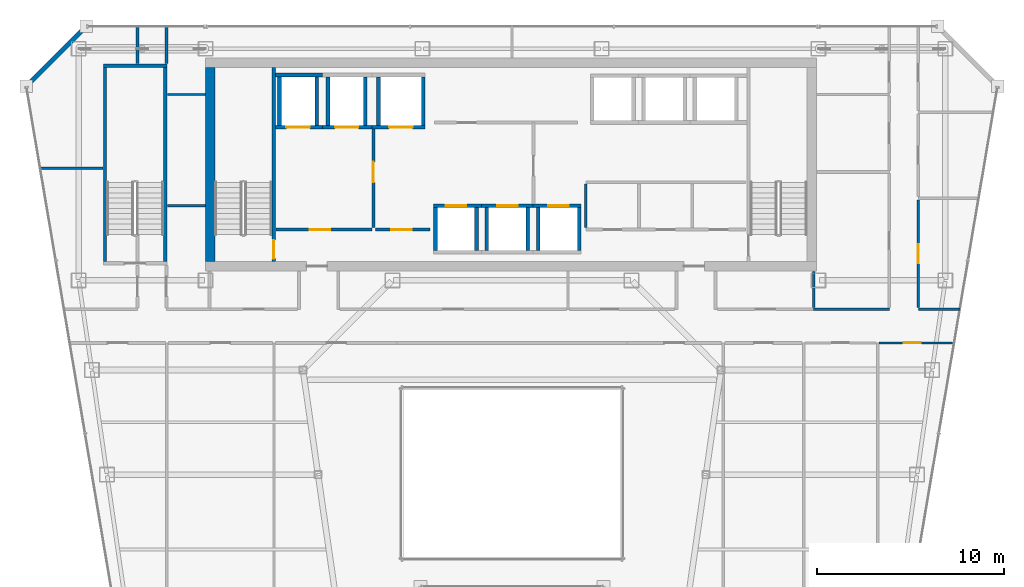
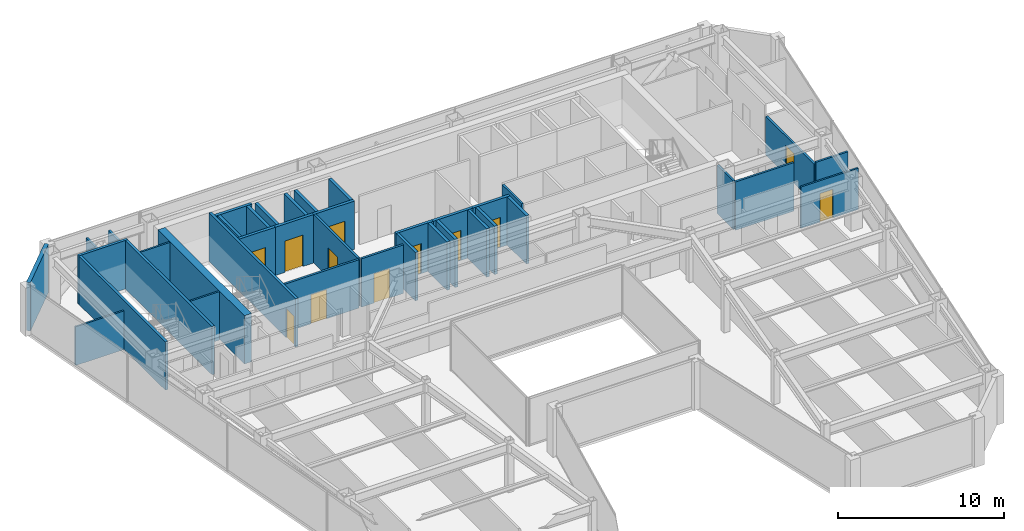
# One storey, part 31 of 36: 39 walls, 12 doors, 12 openings.
"""IFC4 building model written with IfcOpenShell, lengths in metres."""

from ifc_helpers import new_model, si_unit, direction, frame, frame_2d, origin, place, context, subcontext, project, spatial, rectangle, extrude, material, layer, layer_set, type_object, element, fill, save


model = new_model("IFC4")

# Units and contexts
model_context = context("Model", 3, precision=1e-05, world=origin(), true_north=direction((0.0, 1.0)))
body_context = subcontext(model_context, "Body", "Model", "MODEL_VIEW")
ifc_project = project(units=[si_unit("LENGTHUNIT", "METRE"), si_unit("AREAUNIT", "SQUARE_METRE"), si_unit("VOLUMEUNIT", "CUBIC_METRE"), si_unit("PLANEANGLEUNIT", "RADIAN"), si_unit("MASSUNIT", "GRAM", prefix="KILO")], contexts=[model_context])

# Site, building, storey
site_placement = place(None, origin())
site = spatial("IfcSite", under=ifc_project, at=site_placement, CompositionType="ELEMENT")
building_placement = place(site_placement, origin())
building = spatial("IfcBuilding", under=site, at=building_placement, Name="Saevonmaru Cultural Tower", CompositionType="ELEMENT")
storey_placement = place(building_placement, frame((0.0, 0.0, 205.60009765625)))
storey = spatial("IfcBuildingStorey", under=building, at=storey_placement, Name="L47", CompositionType="ELEMENT", Elevation=205.60009765625)

# Wall
ifc_material_1 = material(Name="Concrete C60/75", Category="concrete")
ifc_layer_1 = layer(ifc_material_1, 0.5, Name="Concrete C60/75")
ifc_layer_set_1 = layer_set([ifc_layer_1], Name="Concrete C60/75")
wall_type_1 = type_object("IfcWallType", Name="WL-CORE-500", PredefinedType="SHEAR", material=ifc_layer_set_1)
wall_1_placement = place(storey_placement, frame((13.85009765625, 43.39990234375, 0.0), z_axis=(0.0, 0.0, 1.0), x_axis=(0.0, 1.0, 0.0)))
element("IfcWall", 1, at=wall_1_placement, inside=storey, type_object=wall_type_1, Name="L47 Tower RC core shear wall W", PredefinedType="SHEAR", context=body_context, shape_type="SweptSolid", body=[
    extrude(rectangle(XDim=10.400146484375, YDim=0.5, at=frame_2d((5.2001953125, 0.0))), origin(), (0.0, 0.0, 1.0), 3.5498046875),
])

# Wall, opening, door
ifc_material_2 = material(Name="Gypsum Fireboard Partition", Category="gypsum")
ifc_layer_2 = layer(ifc_material_2, 0.14990234375, Name="Gypsum Fireboard Partition")
ifc_layer_set_2 = layer_set([ifc_layer_2], Name="Gypsum Fireboard Partition")
wall_type_2 = type_object("IfcWallType", Name="WL-CORE-PART-150", PredefinedType="PARTITIONING", material=ifc_layer_set_2)
wall_2_placement = place(storey_placement, frame((17.360107421875, 45.1201171875, 0.0), z_axis=(0.0, 0.0, 1.0), x_axis=(1.0, 0.0, 0.0)))
wall_2 = element("IfcWall", 2, at=wall_2_placement, inside=storey, type_object=wall_type_2, Name="L47 Firefighting Lift Lobby South Wall", PredefinedType="PARTITIONING", context=body_context, shape_type="SweptSolid", body=[
    extrude(rectangle(XDim=5.139892578125, YDim=0.14990234375, at=frame_2d((2.56982421875, 0.0))), origin(), (0.0, 0.0, 1.0), 3.5498046875),
])
opening_1_placement = place(wall_2_placement, frame((1.800048828125, 0.0, 0.0)))
opening_1 = element("IfcOpeningElement", 3, at=opening_1_placement, cuts=wall_2, Name="Opening FD-2", PredefinedType="OPENING", context=body_context, shape_type="SweptSolid", body=[
    extrude(rectangle(XDim=1.10009765625, YDim=2.14990234375, at=frame_2d((0.550048828125, 1.074951171875))), frame((0.0, 0.0849609375, 0.0), z_axis=(0.0, -1.0, 0.0), x_axis=(1.0, 0.0, 0.0)), (0.0, 0.0, 1.0), 0.169921875),
])
ifc_material_3 = material(Name="Satin Bronze Anodised Aluminium", Category="aluminium")
door_type_1 = type_object("IfcDoorType", Name="DR-FD60-1100", OperationType="SINGLE_SWING_LEFT", PredefinedType="DOOR", material=ifc_material_3)
door_1_placement = place(opening_1_placement, origin())
door_1 = element("IfcDoor", 4, at=door_1_placement, inside=storey, type_object=door_type_1, Name="L47 Firefighting Lift Lobby South Door", OperationType="SINGLE_SWING_LEFT", OverallHeight=2.14990234375, OverallWidth=1.10009765625, PredefinedType="DOOR", context=body_context, shape_type="SweptSolid", body=[
    extrude(rectangle(XDim=1.10009765625, YDim=2.14990234375, at=frame_2d((0.550048828125, 1.074951171875))), frame((0.0, 0.02490234375, 0.0), z_axis=(0.0, -1.0, 0.0), x_axis=(1.0, 0.0, 0.0)), (0.0, 0.0, 1.0), 0.050048828125),
])
fill(opening_1, door_1)

wall_3_placement = place(storey_placement, frame((22.580078125, 50.550048828125, 0.0), z_axis=(0.0, 0.0, 1.0), x_axis=(0.0, -1.0, 0.0)))
wall_3 = element("IfcWall", 5, at=wall_3_placement, inside=storey, type_object=wall_type_2, Name="L47 Firefighting Lift Lobby East Wall", PredefinedType="PARTITIONING", context=body_context, shape_type="SweptSolid", body=[
    extrude(rectangle(XDim=5.330078125, YDim=0.14990234375, at=frame_2d((2.6650390625, 0.0))), origin(), (0.0, 0.0, 1.0), 3.5498046875),
])
opening_2_placement = place(wall_3_placement, frame((1.800048828125, 0.0, 0.0)))
opening_2 = element("IfcOpeningElement", 6, at=opening_2_placement, cuts=wall_3, Name="Opening FD-2", PredefinedType="OPENING", context=body_context, shape_type="SweptSolid", body=[
    extrude(rectangle(XDim=1.10009765625, YDim=2.14990234375, at=frame_2d((0.550048828125, 1.074951171875))), frame((0.0, 0.0849609375, 0.0), z_axis=(0.0, -1.0, 0.0), x_axis=(1.0, 0.0, 0.0)), (0.0, 0.0, 1.0), 0.169921875),
])
door_2_placement = place(opening_2_placement, origin())
door_2 = element("IfcDoor", 7, at=door_2_placement, inside=storey, type_object=door_type_1, Name="L47 Firefighting Lift Lobby East Door", OperationType="SINGLE_SWING_LEFT", OverallHeight=2.14990234375, OverallWidth=1.10009765625, PredefinedType="DOOR", context=body_context, shape_type="SweptSolid", body=[
    extrude(rectangle(XDim=1.10009765625, YDim=2.14990234375, at=frame_2d((0.550048828125, 1.074951171875))), frame((0.0, 0.02490234375, 0.0), z_axis=(0.0, -1.0, 0.0), x_axis=(1.0, 0.0, 0.0)), (0.0, 0.0, 1.0), 0.050048828125),
])
fill(opening_2, door_2)

wall_4_placement = place(storey_placement, frame((22.679931640625, 45.1201171875, 0.0), z_axis=(0.0, 0.0, 1.0), x_axis=(1.0, 0.0, 0.0)))
wall_4 = element("IfcWall", 8, at=wall_4_placement, inside=storey, type_object=wall_type_2, Name="L47 Service Lift Vestibule Wall", PredefinedType="PARTITIONING", context=body_context, shape_type="SweptSolid", body=[
    extrude(rectangle(XDim=2.920166015625, YDim=0.14990234375, at=frame_2d((1.4599609375, 0.0))), origin(), (0.0, 0.0, 1.0), 3.5498046875),
])
opening_3_placement = place(wall_4_placement, frame((0.85009765625, 0.0, 0.0)))
opening_3 = element("IfcOpeningElement", 9, at=opening_3_placement, cuts=wall_4, Name="Opening FD-2", PredefinedType="OPENING", context=body_context, shape_type="SweptSolid", body=[
    extrude(rectangle(XDim=1.10009765625, YDim=2.14990234375, at=frame_2d((0.550048828125, 1.074951171875))), frame((0.0, 0.0849609375, 0.0), z_axis=(0.0, -1.0, 0.0), x_axis=(1.0, 0.0, 0.0)), (0.0, 0.0, 1.0), 0.169921875),
])
door_3_placement = place(opening_3_placement, origin())
door_3 = element("IfcDoor", 10, at=door_3_placement, inside=storey, type_object=door_type_1, Name="L47 Service Lift Vestibule Door", OperationType="SINGLE_SWING_LEFT", OverallHeight=2.14990234375, OverallWidth=1.10009765625, PredefinedType="DOOR", context=body_context, shape_type="SweptSolid", body=[
    extrude(rectangle(XDim=1.10009765625, YDim=2.14990234375, at=frame_2d((0.550048828125, 1.074951171875))), frame((0.0, 0.02490234375, 0.0), z_axis=(0.0, -1.0, 0.0), x_axis=(1.0, 0.0, 0.0)), (0.0, 0.0, 1.0), 0.050048828125),
])
fill(opening_3, door_3)

# Walls
wall_5_placement = place(storey_placement, frame((33.949951171875, 45.219970703125, 0.0), z_axis=(0.0, 0.0, 1.0), x_axis=(0.0, 1.0, 0.0)))
element("IfcWall", 11, at=wall_5_placement, inside=storey, type_object=wall_type_2, Name="L47 Core Utility West Wall", PredefinedType="PARTITIONING", context=body_context, shape_type="SweptSolid", body=[
    extrude(rectangle(XDim=2.330078125, YDim=0.14990234375, at=frame_2d((1.1650390625, 0.0))), origin(), (0.0, 0.0, 1.0), 3.5498046875),
])
ifc_material_4 = material(Name="Granite-Clad Precast Concrete C40/50", Category="masonry")
ifc_layer_3 = layer(ifc_material_4, 0.260009765625, Name="Granite-Clad Precast Concrete C40/50")
ifc_layer_set_3 = layer_set([ifc_layer_3], Name="Granite-Clad Precast Concrete C40/50")
wall_type_3 = type_object("IfcWallType", Name="WL-EXT-SPANDREL-260", PredefinedType="STANDARD", material=ifc_layer_set_3)
wall_6_placement = place(storey_placement, frame((7.0869140625, 55.886962890625, 0.0), z_axis=(0.0, 0.0, 1.0), x_axis=(-0.707106781187, -0.707106781187, 0.0)))
element("IfcWall", 12, at=wall_6_placement, inside=storey, type_object=wall_type_3, Name="L47 Chamfer Corner Spandrel Wall E11", PredefinedType="STANDARD", context=body_context, shape_type="SweptSolid", body=[
    extrude(rectangle(XDim=4.205810546875, YDim=0.260009765625, at=frame_2d((2.10302734375, 0.0))), origin(), (0.0, 0.0, 1.0), 3.5498046875),
])
ifc_layer_4 = layer(ifc_material_2, 0.14990234375, Name="Gypsum Fireboard Partition")
ifc_layer_set_4 = layer_set([ifc_layer_4], Name="Gypsum Fireboard Partition")
wall_type_4 = type_object("IfcWallType", Name="WL-PART-FIRE-150", PredefinedType="PARTITIONING", material=ifc_layer_set_4)
for number, where, z_axis, x_axis, name in (
    (13, (11.5, 54.0, 0.0), (0.0, 0.0, 1.0), (0.0, 1.0, 0.0), "L47 Kinetic Art Exhibition Gallery Corridor Wall"),
    (14, (9.949951171875, 54.0, 0.0), (0.0, 0.0, 1.0), (0.0, 1.0, 0.0), "L47 Contemporary Photography Gallery Corridor Wall"),
):
    element("IfcWall", number, at=place(storey_placement, frame(where, z_axis=z_axis, x_axis=x_axis)), inside=storey, type_object=wall_type_4, Name=name, PredefinedType="PARTITIONING", context=body_context, shape_type="SweptSolid", body=[
        extrude(rectangle(XDim=1.9951171875, YDim=0.14990234375, at=frame_2d((0.99755859375, 0.0))), origin(), (0.0, 0.0, 1.0), 2.934814453125),
    ])

# Wall, opening, door
wall_7_placement = place(storey_placement, frame((51.75, 40.9375, 0.0), z_axis=(0.0, 0.0, 1.0), x_axis=(0.0, 1.0, 0.0)))
wall_7 = element("IfcWall", 15, at=wall_7_placement, inside=storey, type_object=wall_type_4, Name="L47 Chamber Rehearsal Auditorium Corridor Wall", PredefinedType="PARTITIONING", context=body_context, shape_type="SweptSolid", body=[
    extrude(rectangle(XDim=5.77490234375, YDim=0.14990234375, at=frame_2d((2.887451171875, 0.0))), origin(), (0.0, 0.0, 1.0), 2.8349609375),
])
opening_4_placement = place(wall_7_placement, frame((2.386962890625, 0.0, 0.0)))
opening_4 = element("IfcOpeningElement", 16, at=opening_4_placement, cuts=wall_7, Name="Opening ID-1B", PredefinedType="OPENING", context=body_context, shape_type="SweptSolid", body=[
    extrude(rectangle(XDim=1.0, YDim=2.14990234375, at=frame_2d((0.5, 1.074951171875))), frame((0.0, 0.0849609375, 0.0), z_axis=(0.0, -1.0, 0.0), x_axis=(1.0, 0.0, 0.0)), (0.0, 0.0, 1.0), 0.169921875),
])
ifc_material_5 = material(Name="Acoustic Stained Oak Timber", Category="wood")
door_type_2 = type_object("IfcDoorType", Name="DR-INT-1000", OperationType="SINGLE_SWING_RIGHT", PredefinedType="DOOR", material=ifc_material_5)
door_4_placement = place(opening_4_placement, origin())
door_4 = element("IfcDoor", 17, at=door_4_placement, inside=storey, type_object=door_type_2, Name="L47 Chamber Rehearsal Auditorium Door", OperationType="SINGLE_SWING_LEFT", OverallHeight=2.14990234375, OverallWidth=1.0, PredefinedType="DOOR", context=body_context, shape_type="SweptSolid", body=[
    extrude(rectangle(XDim=1.0, YDim=2.14990234375, at=frame_2d((0.5, 1.074951171875))), frame((0.0, 0.02490234375, 0.0), z_axis=(0.0, -1.0, 0.0), x_axis=(1.0, 0.0, 0.0)), (0.0, 0.0, 1.0), 0.050048828125),
])
fill(opening_4, door_4)

# Walls
ifc_layer_5 = layer(ifc_material_2, 0.1201171875, Name="Gypsum Fireboard Partition")
ifc_layer_set_5 = layer_set([ifc_layer_5], Name="Gypsum Fireboard Partition")
wall_type_5 = type_object("IfcWallType", Name="WL-PART-GYP-120", PredefinedType="PARTITIONING", material=ifc_layer_set_5)
wall_8_placement = place(storey_placement, frame((11.550048828125, 52.35009765625, 0.0), z_axis=(0.0, 0.0, 1.0), x_axis=(1.0, 0.0, 0.0)))
element("IfcWall", 18, at=wall_8_placement, inside=storey, type_object=wall_type_5, Name="L47 North-West Panorama South Wall", PredefinedType="PARTITIONING", context=body_context, shape_type="SweptSolid", body=[
    extrude(rectangle(XDim=2.030029296875, YDim=0.1201171875, at=frame_2d((1.01513671875, 0.0))), origin(), (0.0, 0.0, 1.0), 3.5498046875),
])
wall_9_placement = place(storey_placement, frame((4.75, 48.39990234375, 0.0), z_axis=(0.0, 0.0, 1.0), x_axis=(1.0, 0.0, 0.0)))
element("IfcWall", 19, at=wall_9_placement, inside=storey, type_object=wall_type_5, Name="L47 NW Studio Divider 1", PredefinedType="PARTITIONING", context=body_context, shape_type="SweptSolid", body=[
    extrude(rectangle(XDim=3.35009765625, YDim=0.1201171875, at=frame_2d((1.675048828125, 0.0))), origin(), (0.0, 0.0, 1.0), 2.8349609375),
])
wall_10_placement = place(storey_placement, frame((11.550048828125, 46.39990234375, 0.0), z_axis=(0.0, 0.0, 1.0), x_axis=(1.0, 0.0, 0.0)))
element("IfcWall", 20, at=wall_10_placement, inside=storey, type_object=wall_type_5, Name="L47 NW Inner Divider", PredefinedType="PARTITIONING", context=body_context, shape_type="SweptSolid", body=[
    extrude(rectangle(XDim=2.030029296875, YDim=0.1201171875, at=frame_2d((1.01513671875, 0.0))), origin(), (0.0, 0.0, 1.0), 3.5498046875),
])

# Wall, opening, door
wall_11_placement = place(storey_placement, frame((49.657470703125, 39.050048828125, 0.0), z_axis=(0.0, 0.0, 1.0), x_axis=(1.0, 0.0, 0.0)))
wall_11 = element("IfcWall", 21, at=wall_11_placement, inside=storey, type_object=wall_type_5, Name="L47 Calligraphy Teaching Studio Corridor Wall", PredefinedType="PARTITIONING", context=body_context, shape_type="SweptSolid", body=[
    extrude(rectangle(XDim=3.994140625, YDim=0.1201171875, at=frame_2d((1.9970703125, 0.0))), origin(), (0.0, 0.0, 1.0), 3.034912109375),
])
opening_5_placement = place(wall_11_placement, frame((1.326904296875, 0.0, 0.0)))
opening_5 = element("IfcOpeningElement", 22, at=opening_5_placement, cuts=wall_11, Name="Opening ID-2", PredefinedType="OPENING", context=body_context, shape_type="SweptSolid", body=[
    extrude(rectangle(XDim=0.89990234375, YDim=2.10009765625, at=frame_2d((0.449951171875, 1.050048828125))), frame((0.0, 0.070068359375, 0.0), z_axis=(0.0, -1.0, 0.0), x_axis=(1.0, 0.0, 0.0)), (0.0, 0.0, 1.0), 0.14013671875),
])
door_type_3 = type_object("IfcDoorType", Name="DR-INT-900", OperationType="SINGLE_SWING_RIGHT", PredefinedType="DOOR", material=ifc_material_5)
door_5_placement = place(opening_5_placement, origin())
door_5 = element("IfcDoor", 23, at=door_5_placement, inside=storey, type_object=door_type_3, Name="L47 Calligraphy Teaching Studio Door", OperationType="SINGLE_SWING_RIGHT", OverallHeight=2.10009765625, OverallWidth=0.89990234375, PredefinedType="DOOR", context=body_context, shape_type="SweptSolid", body=[
    extrude(rectangle(XDim=0.89990234375, YDim=2.10009765625, at=frame_2d((0.449951171875, 1.050048828125))), frame((0.0, 0.02490234375, 0.0), z_axis=(0.0, -1.0, 0.0), x_axis=(1.0, 0.0, 0.0)), (0.0, 0.0, 1.0), 0.050048828125),
])
fill(opening_5, door_5)

# Walls
ifc_layer_6 = layer(ifc_material_2, 0.135009765625, Name="Gypsum Fireboard Partition")
ifc_layer_set_6 = layer_set([ifc_layer_6], Name="Gypsum Fireboard Partition")
wall_type_6 = type_object("IfcWallType", Name="WL-PART-GYP-135", PredefinedType="PARTITIONING", material=ifc_layer_set_6)
wall_12_placement = place(storey_placement, frame((51.75, 40.85009765625, 0.0), z_axis=(0.0, 0.0, 1.0), x_axis=(1.0, 0.0, 0.0)))
element("IfcWall", 24, at=wall_12_placement, inside=storey, type_object=wall_type_6, Name="L47 NE Wing South Wall", PredefinedType="PARTITIONING", context=body_context, shape_type="SweptSolid", body=[
    extrude(rectangle(XDim=2.2216796875, YDim=0.135009765625, at=frame_2d((1.11083984375, 0.0))), origin(), (0.0, 0.0, 1.0), 3.034912109375),
])
ifc_layer_7 = layer(ifc_material_2, 0.139892578125, Name="Gypsum Fireboard Partition")
ifc_layer_set_7 = layer_set([ifc_layer_7], Name="Gypsum Fireboard Partition")
wall_type_7 = type_object("IfcWallType", Name="WL-PART-WET-140", PredefinedType="PARTITIONING", material=ifc_layer_set_7)
wall_13_placement = place(storey_placement, frame((46.14990234375, 40.85009765625, 0.0), z_axis=(0.0, 0.0, 1.0), x_axis=(1.0, 0.0, 0.0)))
element("IfcWall", 25, at=wall_13_placement, inside=storey, type_object=wall_type_7, Name="L47 Washroom South Wall", PredefinedType="PARTITIONING", context=body_context, shape_type="SweptSolid", body=[
    extrude(rectangle(XDim=4.050048828125, YDim=0.139892578125, at=frame_2d((2.02490234375, 0.0))), origin(), (0.0, 0.0, 1.0), 3.5498046875),
])
wall_14_placement = place(storey_placement, frame((46.14990234375, 40.93994140625, 0.0), z_axis=(0.0, 0.0, 1.0), x_axis=(0.0, 1.0, 0.0)))
element("IfcWall", 26, at=wall_14_placement, inside=storey, type_object=wall_type_7, Name="L47 Washroom South-West Return", PredefinedType="PARTITIONING", context=body_context, shape_type="SweptSolid", body=[
    extrude(rectangle(XDim=1.93994140625, YDim=0.139892578125, at=frame_2d((0.969970703125, 0.0))), origin(), (0.0, 0.0, 1.0), 3.5498046875),
])

# Wall, opening, door
ifc_material_6 = material(Name="Concrete C40/50", Category="concrete")
ifc_layer_8 = layer(ifc_material_6, 0.199951171875, Name="Concrete C40/50")
ifc_layer_set_8 = layer_set([ifc_layer_8], Name="Concrete C40/50")
wall_type_8 = type_object("IfcWallType", Name="WL-SHAFT-200", PredefinedType="SHEAR", material=ifc_layer_set_8)
wall_15_placement = place(storey_placement, frame((17.330078125, 50.60009765625, 0.0), z_axis=(0.0, 0.0, 1.0), x_axis=(1.0, 0.0, 0.0)))
wall_15 = element("IfcWall", 27, at=wall_15_placement, inside=storey, type_object=wall_type_8, Name="L47 Lift FFL-1 Hoistway Wall S", PredefinedType="SHEAR", context=body_context, shape_type="SweptSolid", body=[
    extrude(rectangle(XDim=2.52001953125, YDim=0.199951171875, at=frame_2d((1.260009765625, 0.0))), origin(), (0.0, 0.0, 1.0), 3.5498046875),
])
opening_6_placement = place(wall_15_placement, frame((0.594970703125, 0.0, 0.0)))
opening_6 = element("IfcOpeningElement", 28, at=opening_6_placement, cuts=wall_15, Name="Opening LD-2", PredefinedType="OPENING", context=body_context, shape_type="SweptSolid", body=[
    extrude(rectangle(XDim=1.25, YDim=2.300048828125, at=frame_2d((0.625, 1.14990234375))), frame((0.0, 0.10986328125, 0.0), z_axis=(0.0, -1.0, 0.0), x_axis=(1.0, 0.0, 0.0)), (0.0, 0.0, 1.0), 0.219970703125),
])
ifc_material_7 = material(Name="Stainless Steel 316", Category="steel")
door_type_4 = type_object("IfcDoorType", Name="DR-LIFT-1250", OperationType="SLIDING_TO_LEFT", PredefinedType="DOOR", material=ifc_material_7)
door_6_placement = place(opening_6_placement, origin())
door_6 = element("IfcDoor", 29, at=door_6_placement, inside=storey, type_object=door_type_4, Name="L47 Lift FFL-1 Sliding Landing Door", OperationType="SLIDING_TO_LEFT", OverallHeight=2.300048828125, OverallWidth=1.25, PredefinedType="DOOR", context=body_context, shape_type="SweptSolid", body=[
    extrude(rectangle(XDim=1.25, YDim=2.300048828125, at=frame_2d((0.625, 1.14990234375))), frame((0.0, 0.02490234375, 0.0), z_axis=(0.0, -1.0, 0.0), x_axis=(1.0, 0.0, 0.0)), (0.0, 0.0, 1.0), 0.050048828125),
])
fill(opening_6, door_6)

# Walls
wall_16_placement = place(storey_placement, frame((17.330078125, 53.39990234375, 0.0), z_axis=(0.0, 0.0, 1.0), x_axis=(1.0, 0.0, 0.0)))
element("IfcWall", 30, at=wall_16_placement, inside=storey, type_object=wall_type_8, Name="L47 Lift FFL-1 Hoistway Wall N", PredefinedType="SHEAR", context=body_context, shape_type="SweptSolid", body=[
    extrude(rectangle(XDim=2.52001953125, YDim=0.199951171875, at=frame_2d((1.260009765625, 0.0))), origin(), (0.0, 0.0, 1.0), 3.5498046875),
])
for number, where, z_axis, x_axis, name in (
    (31, (17.550048828125, 50.699951171875, 0.0), (0.0, 0.0, 1.0), (0.0, 1.0, 0.0), "L47 Lift FFL-1 Hoistway Wall W"),
    (32, (19.550048828125, 50.699951171875, 0.0), (0.0, 0.0, 1.0), (0.0, 1.0, 0.0), "L47 Lift FFL-1 Hoistway Wall E"),
):
    element("IfcWall", number, at=place(storey_placement, frame(where, z_axis=z_axis, x_axis=x_axis)), inside=storey, type_object=wall_type_8, Name=name, PredefinedType="SHEAR", context=body_context, shape_type="SweptSolid", body=[
        extrude(rectangle(XDim=2.60009765625, YDim=0.199951171875, at=frame_2d((1.300048828125, 0.0))), origin(), (0.0, 0.0, 1.0), 3.5498046875),
    ])

# Wall, opening, door
wall_17_placement = place(storey_placement, frame((19.85009765625, 50.60009765625, 0.0), z_axis=(0.0, 0.0, 1.0), x_axis=(1.0, 0.0, 0.0)))
wall_17 = element("IfcWall", 33, at=wall_17_placement, inside=storey, type_object=wall_type_8, Name="L47 Lift FFL-2 Hoistway Wall S", PredefinedType="SHEAR", context=body_context, shape_type="SweptSolid", body=[
    extrude(rectangle(XDim=2.64990234375, YDim=0.199951171875, at=frame_2d((1.324951171875, 0.0))), origin(), (0.0, 0.0, 1.0), 3.5498046875),
])
opening_7_placement = place(wall_17_placement, frame((0.675048828125, 0.0, 0.0)))
opening_7 = element("IfcOpeningElement", 34, at=opening_7_placement, cuts=wall_17, Name="Opening LD-2", PredefinedType="OPENING", context=body_context, shape_type="SweptSolid", body=[
    extrude(rectangle(XDim=1.25, YDim=2.300048828125, at=frame_2d((0.625, 1.14990234375))), frame((0.0, 0.10986328125, 0.0), z_axis=(0.0, -1.0, 0.0), x_axis=(1.0, 0.0, 0.0)), (0.0, 0.0, 1.0), 0.219970703125),
])
door_7_placement = place(opening_7_placement, origin())
door_7 = element("IfcDoor", 35, at=door_7_placement, inside=storey, type_object=door_type_4, Name="L47 Lift FFL-2 Sliding Landing Door", OperationType="SLIDING_TO_LEFT", OverallHeight=2.300048828125, OverallWidth=1.25, PredefinedType="DOOR", context=body_context, shape_type="SweptSolid", body=[
    extrude(rectangle(XDim=1.25, YDim=2.300048828125, at=frame_2d((0.625, 1.14990234375))), frame((0.0, 0.02490234375, 0.0), z_axis=(0.0, -1.0, 0.0), x_axis=(1.0, 0.0, 0.0)), (0.0, 0.0, 1.0), 0.050048828125),
])
fill(opening_7, door_7)

# Walls
for number, where, z_axis, x_axis, name in (
    (36, (20.14990234375, 50.699951171875, 0.0), (0.0, 0.0, 1.0), (0.0, 1.0, 0.0), "L47 Lift FFL-2 Hoistway Wall W"),
    (37, (22.14990234375, 50.699951171875, 0.0), (0.0, 0.0, 1.0), (0.0, 1.0, 0.0), "L47 Lift FFL-2 Hoistway Wall E"),
):
    element("IfcWall", number, at=place(storey_placement, frame(where, z_axis=z_axis, x_axis=x_axis)), inside=storey, type_object=wall_type_8, Name=name, PredefinedType="SHEAR", context=body_context, shape_type="SweptSolid", body=[
        extrude(rectangle(XDim=2.60009765625, YDim=0.199951171875, at=frame_2d((1.300048828125, 0.0))), origin(), (0.0, 0.0, 1.0), 3.5498046875),
    ])

# Wall, opening, door
wall_18_placement = place(storey_placement, frame((22.5, 50.60009765625, 0.0), z_axis=(0.0, 0.0, 1.0), x_axis=(1.0, 0.0, 0.0)))
wall_18 = element("IfcWall", 38, at=wall_18_placement, inside=storey, type_object=wall_type_8, Name="L47 Lift GL-1 Hoistway Wall S", PredefinedType="SHEAR", context=body_context, shape_type="SweptSolid", body=[
    extrude(rectangle(XDim=2.85009765625, YDim=0.199951171875, at=frame_2d((1.425048828125, 0.0))), origin(), (0.0, 0.0, 1.0), 3.5498046875),
])
opening_8_placement = place(wall_18_placement, frame((0.925048828125, 0.0, 0.0)))
opening_8 = element("IfcOpeningElement", 39, at=opening_8_placement, cuts=wall_18, Name="Opening LD-2", PredefinedType="OPENING", context=body_context, shape_type="SweptSolid", body=[
    extrude(rectangle(XDim=1.25, YDim=2.300048828125, at=frame_2d((0.625, 1.14990234375))), frame((0.0, 0.10986328125, 0.0), z_axis=(0.0, -1.0, 0.0), x_axis=(1.0, 0.0, 0.0)), (0.0, 0.0, 1.0), 0.219970703125),
])
door_8_placement = place(opening_8_placement, origin())
door_8 = element("IfcDoor", 40, at=door_8_placement, inside=storey, type_object=door_type_4, Name="L47 Lift GL-1 Sliding Landing Door", OperationType="SLIDING_TO_LEFT", OverallHeight=2.300048828125, OverallWidth=1.25, PredefinedType="DOOR", context=body_context, shape_type="SweptSolid", body=[
    extrude(rectangle(XDim=1.25, YDim=2.300048828125, at=frame_2d((0.625, 1.14990234375))), frame((0.0, 0.02490234375, 0.0), z_axis=(0.0, -1.0, 0.0), x_axis=(1.0, 0.0, 0.0)), (0.0, 0.0, 1.0), 0.050048828125),
])
fill(opening_8, door_8)

# Walls
for number, where, z_axis, x_axis, name in (
    (41, (22.85009765625, 50.699951171875, 0.0), (0.0, 0.0, 1.0), (0.0, 1.0, 0.0), "L47 Lift GL-1 Hoistway Wall W"),
    (42, (25.25, 50.699951171875, 0.0), (0.0, 0.0, 1.0), (0.0, 1.0, 0.0), "L47 Lift GL-1 Hoistway Wall E"),
):
    element("IfcWall", number, at=place(storey_placement, frame(where, z_axis=z_axis, x_axis=x_axis)), inside=storey, type_object=wall_type_8, Name=name, PredefinedType="SHEAR", context=body_context, shape_type="SweptSolid", body=[
        extrude(rectangle(XDim=2.60009765625, YDim=0.199951171875, at=frame_2d((1.300048828125, 0.0))), origin(), (0.0, 0.0, 1.0), 3.5498046875),
    ])

# Wall, opening, door
wall_19_placement = place(storey_placement, frame((25.800048828125, 46.39990234375, 0.0), z_axis=(0.0, 0.0, 1.0), x_axis=(1.0, 0.0, 0.0)))
wall_19 = element("IfcWall", 43, at=wall_19_placement, inside=storey, type_object=wall_type_8, Name="L47 Lift PL-M1 Hoistway Wall N", PredefinedType="SHEAR", context=body_context, shape_type="SweptSolid", body=[
    extrude(rectangle(XDim=2.574951171875, YDim=0.199951171875, at=frame_2d((1.28759765625, 0.0))), origin(), (0.0, 0.0, 1.0), 3.5498046875),
])
opening_9_placement = place(wall_19_placement, frame((0.64990234375, 0.0, 0.0)))
opening_9 = element("IfcOpeningElement", 44, at=opening_9_placement, cuts=wall_19, Name="Opening LD-1", PredefinedType="OPENING", context=body_context, shape_type="SweptSolid", body=[
    extrude(rectangle(XDim=1.10009765625, YDim=2.199951171875, at=frame_2d((0.550048828125, 1.10009765625))), frame((0.0, 0.10986328125, 0.0), z_axis=(0.0, -1.0, 0.0), x_axis=(1.0, 0.0, 0.0)), (0.0, 0.0, 1.0), 0.219970703125),
])
ifc_material_8 = material(Name="Satin Bronze Stainless Steel", Category="steel")
door_type_5 = type_object("IfcDoorType", Name="DR-LIFT-1100", OperationType="SLIDING_TO_LEFT", PredefinedType="DOOR", material=ifc_material_8)
door_9_placement = place(opening_9_placement, origin())
door_9 = element("IfcDoor", 45, at=door_9_placement, inside=storey, type_object=door_type_5, Name="L47 Lift PL-M1 Sliding Landing Door", OperationType="SLIDING_TO_LEFT", OverallHeight=2.199951171875, OverallWidth=1.10009765625, PredefinedType="DOOR", context=body_context, shape_type="SweptSolid", body=[
    extrude(rectangle(XDim=1.10009765625, YDim=2.199951171875, at=frame_2d((0.550048828125, 1.10009765625))), frame((0.0, 0.02490234375, 0.0), z_axis=(0.0, -1.0, 0.0), x_axis=(1.0, 0.0, 0.0)), (0.0, 0.0, 1.0), 0.050048828125),
])
fill(opening_9, door_9)

# Walls
for number, where, z_axis, x_axis, name in (
    (46, (25.89990234375, 44.0, 0.0), (0.0, 0.0, 1.0), (0.0, 1.0, 0.0), "L47 Lift PL-M1 Hoistway Wall W"),
    (47, (28.10009765625, 44.0, 0.0), (0.0, 0.0, 1.0), (0.0, 1.0, 0.0), "L47 Lift PL-M1 Hoistway Wall E"),
):
    element("IfcWall", number, at=place(storey_placement, frame(where, z_axis=z_axis, x_axis=x_axis)), inside=storey, type_object=wall_type_8, Name=name, PredefinedType="SHEAR", context=body_context, shape_type="SweptSolid", body=[
        extrude(rectangle(XDim=2.300048828125, YDim=0.199951171875, at=frame_2d((1.14990234375, 0.0))), origin(), (0.0, 0.0, 1.0), 3.5498046875),
    ])

# Wall, opening, door
wall_20_placement = place(storey_placement, frame((28.375, 46.39990234375, 0.0), z_axis=(0.0, 0.0, 1.0), x_axis=(1.0, 0.0, 0.0)))
wall_20 = element("IfcWall", 48, at=wall_20_placement, inside=storey, type_object=wall_type_8, Name="L47 Lift PL-M2 Hoistway Wall N", PredefinedType="SHEAR", context=body_context, shape_type="SweptSolid", body=[
    extrude(rectangle(XDim=2.75, YDim=0.199951171875, at=frame_2d((1.375, 0.0))), origin(), (0.0, 0.0, 1.0), 3.5498046875),
])
opening_10_placement = place(wall_20_placement, frame((0.824951171875, 0.0, 0.0)))
opening_10 = element("IfcOpeningElement", 49, at=opening_10_placement, cuts=wall_20, Name="Opening LD-1", PredefinedType="OPENING", context=body_context, shape_type="SweptSolid", body=[
    extrude(rectangle(XDim=1.10009765625, YDim=2.199951171875, at=frame_2d((0.550048828125, 1.10009765625))), frame((0.0, 0.10986328125, 0.0), z_axis=(0.0, -1.0, 0.0), x_axis=(1.0, 0.0, 0.0)), (0.0, 0.0, 1.0), 0.219970703125),
])
door_10_placement = place(opening_10_placement, origin())
door_10 = element("IfcDoor", 50, at=door_10_placement, inside=storey, type_object=door_type_5, Name="L47 Lift PL-M2 Sliding Landing Door", OperationType="SLIDING_TO_LEFT", OverallHeight=2.199951171875, OverallWidth=1.10009765625, PredefinedType="DOOR", context=body_context, shape_type="SweptSolid", body=[
    extrude(rectangle(XDim=1.10009765625, YDim=2.199951171875, at=frame_2d((0.550048828125, 1.10009765625))), frame((0.0, 0.02490234375, 0.0), z_axis=(0.0, -1.0, 0.0), x_axis=(1.0, 0.0, 0.0)), (0.0, 0.0, 1.0), 0.050048828125),
])
fill(opening_10, door_10)

# Walls
for number, where, z_axis, x_axis, name in (
    (51, (28.64990234375, 44.0, 0.0), (0.0, 0.0, 1.0), (0.0, 1.0, 0.0), "L47 Lift PL-M2 Hoistway Wall W"),
    (52, (30.85009765625, 44.0, 0.0), (0.0, 0.0, 1.0), (0.0, 1.0, 0.0), "L47 Lift PL-M2 Hoistway Wall E"),
):
    element("IfcWall", number, at=place(storey_placement, frame(where, z_axis=z_axis, x_axis=x_axis)), inside=storey, type_object=wall_type_8, Name=name, PredefinedType="SHEAR", context=body_context, shape_type="SweptSolid", body=[
        extrude(rectangle(XDim=2.300048828125, YDim=0.199951171875, at=frame_2d((1.14990234375, 0.0))), origin(), (0.0, 0.0, 1.0), 3.5498046875),
    ])

# Wall, opening, door
wall_21_placement = place(storey_placement, frame((31.125, 46.39990234375, 0.0), z_axis=(0.0, 0.0, 1.0), x_axis=(1.0, 0.0, 0.0)))
wall_21 = element("IfcWall", 53, at=wall_21_placement, inside=storey, type_object=wall_type_8, Name="L47 Lift PL-M3 Hoistway Wall N", PredefinedType="SHEAR", context=body_context, shape_type="SweptSolid", body=[
    extrude(rectangle(XDim=2.574951171875, YDim=0.199951171875, at=frame_2d((1.28759765625, 0.0))), origin(), (0.0, 0.0, 1.0), 3.5498046875),
])
opening_11_placement = place(wall_21_placement, frame((0.824951171875, 0.0, 0.0)))
opening_11 = element("IfcOpeningElement", 54, at=opening_11_placement, cuts=wall_21, Name="Opening LD-1", PredefinedType="OPENING", context=body_context, shape_type="SweptSolid", body=[
    extrude(rectangle(XDim=1.10009765625, YDim=2.199951171875, at=frame_2d((0.550048828125, 1.10009765625))), frame((0.0, 0.10986328125, 0.0), z_axis=(0.0, -1.0, 0.0), x_axis=(1.0, 0.0, 0.0)), (0.0, 0.0, 1.0), 0.219970703125),
])
door_11_placement = place(opening_11_placement, origin())
door_11 = element("IfcDoor", 55, at=door_11_placement, inside=storey, type_object=door_type_5, Name="L47 Lift PL-M3 Sliding Landing Door", OperationType="SLIDING_TO_LEFT", OverallHeight=2.199951171875, OverallWidth=1.10009765625, PredefinedType="DOOR", context=body_context, shape_type="SweptSolid", body=[
    extrude(rectangle(XDim=1.10009765625, YDim=2.199951171875, at=frame_2d((0.550048828125, 1.10009765625))), frame((0.0, 0.02490234375, 0.0), z_axis=(0.0, -1.0, 0.0), x_axis=(1.0, 0.0, 0.0)), (0.0, 0.0, 1.0), 0.050048828125),
])
fill(opening_11, door_11)

# Walls
for number, where, z_axis, x_axis, name in (
    (56, (31.39990234375, 44.0, 0.0), (0.0, 0.0, 1.0), (0.0, 1.0, 0.0), "L47 Lift PL-M3 Hoistway Wall W"),
    (57, (33.60009765625, 44.0, 0.0), (0.0, 0.0, 1.0), (0.0, 1.0, 0.0), "L47 Lift PL-M3 Hoistway Wall E"),
):
    element("IfcWall", number, at=place(storey_placement, frame(where, z_axis=z_axis, x_axis=x_axis)), inside=storey, type_object=wall_type_8, Name=name, PredefinedType="SHEAR", context=body_context, shape_type="SweptSolid", body=[
        extrude(rectangle(XDim=2.300048828125, YDim=0.199951171875, at=frame_2d((1.14990234375, 0.0))), origin(), (0.0, 0.0, 1.0), 3.5498046875),
    ])

# Wall, opening, door
ifc_layer_9 = layer(ifc_material_6, 0.179931640625, Name="Concrete C40/50")
ifc_layer_set_9 = layer_set([ifc_layer_9], Name="Concrete C40/50")
wall_type_9 = type_object("IfcWallType", Name="WL-STSHAFT-180", PredefinedType="SHEAR", material=ifc_layer_set_9)
wall_22_placement = place(storey_placement, frame((17.239990234375, 43.39990234375, 0.0), z_axis=(0.0, 0.0, 1.0), x_axis=(0.0, 1.0, 0.0)))
wall_22 = element("IfcWall", 58, at=wall_22_placement, inside=storey, type_object=wall_type_9, Name="L47 Stair ST-1 Structural Shaft Wall 1", PredefinedType="SHEAR", context=body_context, shape_type="SweptSolid", body=[
    extrude(rectangle(XDim=10.400146484375, YDim=0.179931640625, at=frame_2d((5.2001953125, 0.0))), origin(), (0.0, 0.0, 1.0), 3.5498046875),
])
opening_12_placement = place(wall_22_placement, frame((0.159912109375, 0.0, 0.0)))
opening_12 = element("IfcOpeningElement", 59, at=opening_12_placement, cuts=wall_22, Name="Opening FD-3", PredefinedType="OPENING", context=body_context, shape_type="SweptSolid", body=[
    extrude(rectangle(XDim=1.0, YDim=2.14990234375, at=frame_2d((0.5, 1.074951171875))), frame((0.0, 0.10009765625, 0.0), z_axis=(0.0, -1.0, 0.0), x_axis=(1.0, 0.0, 0.0)), (0.0, 0.0, 1.0), 0.199951171875),
])
door_type_6 = type_object("IfcDoorType", Name="DR-FD60-1000", OperationType="SINGLE_SWING_RIGHT", PredefinedType="DOOR", material=ifc_material_3)
door_12_placement = place(opening_12_placement, origin())
door_12 = element("IfcDoor", 60, at=door_12_placement, inside=storey, type_object=door_type_6, Name="L47 Protected Stair ST-1 Fire Door", OperationType="SINGLE_SWING_RIGHT", OverallHeight=2.14990234375, OverallWidth=1.0, PredefinedType="DOOR", context=body_context, shape_type="SweptSolid", body=[
    extrude(rectangle(XDim=1.0, YDim=2.14990234375, at=frame_2d((0.5, 1.074951171875))), frame((0.0, 0.02490234375, 0.0), z_axis=(0.0, -1.0, 0.0), x_axis=(1.0, 0.0, 0.0)), (0.0, 0.0, 1.0), 0.050048828125),
])
fill(opening_12, door_12)

# Walls
wall_23_placement = place(storey_placement, frame((11.43994140625, 43.39990234375, 0.0), z_axis=(0.0, 0.0, 1.0), x_axis=(0.0, 1.0, 0.0)))
element("IfcWall", 61, at=wall_23_placement, inside=storey, type_object=wall_type_9, Name="L47 Stair ST-3 Structural Shaft Wall 2", PredefinedType="SHEAR", context=body_context, shape_type="SweptSolid", body=[
    extrude(rectangle(XDim=10.400146484375, YDim=0.179931640625, at=frame_2d((5.2001953125, 0.0))), origin(), (0.0, 0.0, 1.0), 3.5498046875),
])
wall_24_placement = place(storey_placement, frame((11.530029296875, 53.889892578125, 0.0), z_axis=(0.0, 0.0, 1.0), x_axis=(-1.0, 0.0, 0.0)))
element("IfcWall", 62, at=wall_24_placement, inside=storey, type_object=wall_type_9, Name="L47 Stair ST-3 Structural Shaft Wall 3", PredefinedType="SHEAR", context=body_context, shape_type="SweptSolid", body=[
    extrude(rectangle(XDim=3.409912109375, YDim=0.179931640625, at=frame_2d((1.705078125, 0.0))), origin(), (0.0, 0.0, 1.0), 3.5498046875),
])
wall_25_placement = place(storey_placement, frame((8.2099609375, 53.800048828125, 0.0), z_axis=(0.0, 0.0, 1.0), x_axis=(0.0, -1.0, 0.0)))
element("IfcWall", 63, at=wall_25_placement, inside=storey, type_object=wall_type_9, Name="L47 Stair ST-3 Structural Shaft Wall 4", PredefinedType="SHEAR", context=body_context, shape_type="SweptSolid", body=[
    extrude(rectangle(XDim=10.400146484375, YDim=0.179931640625, at=frame_2d((5.2001953125, 0.0))), origin(), (0.0, 0.0, 1.0), 3.5498046875),
])

save(model, "model.ifc")
